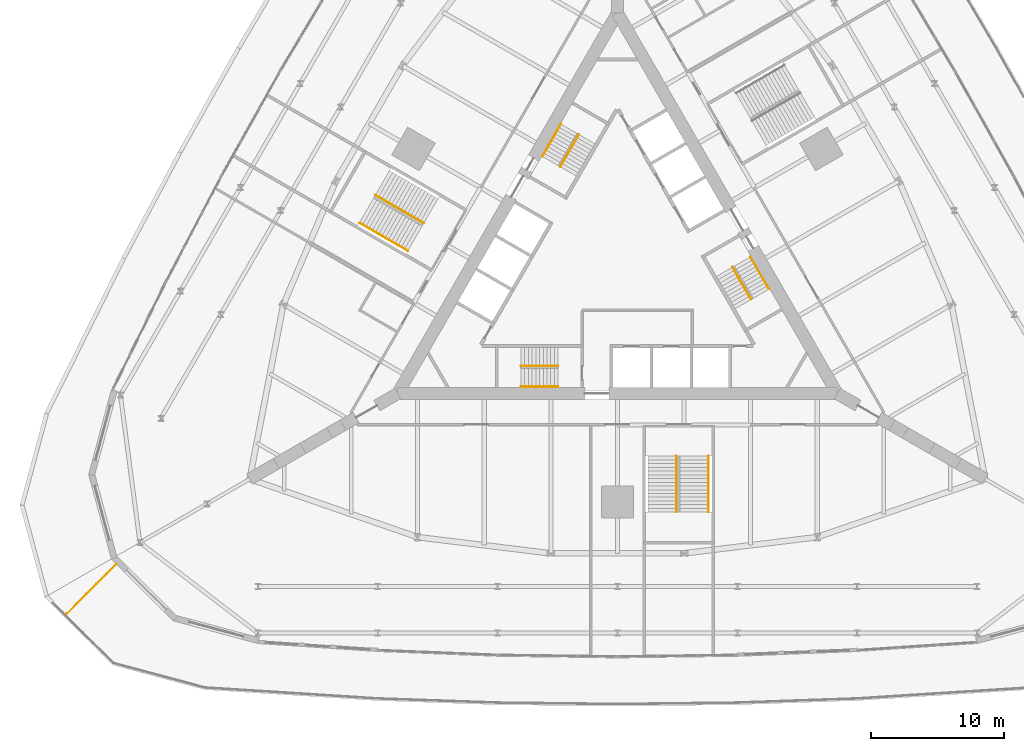
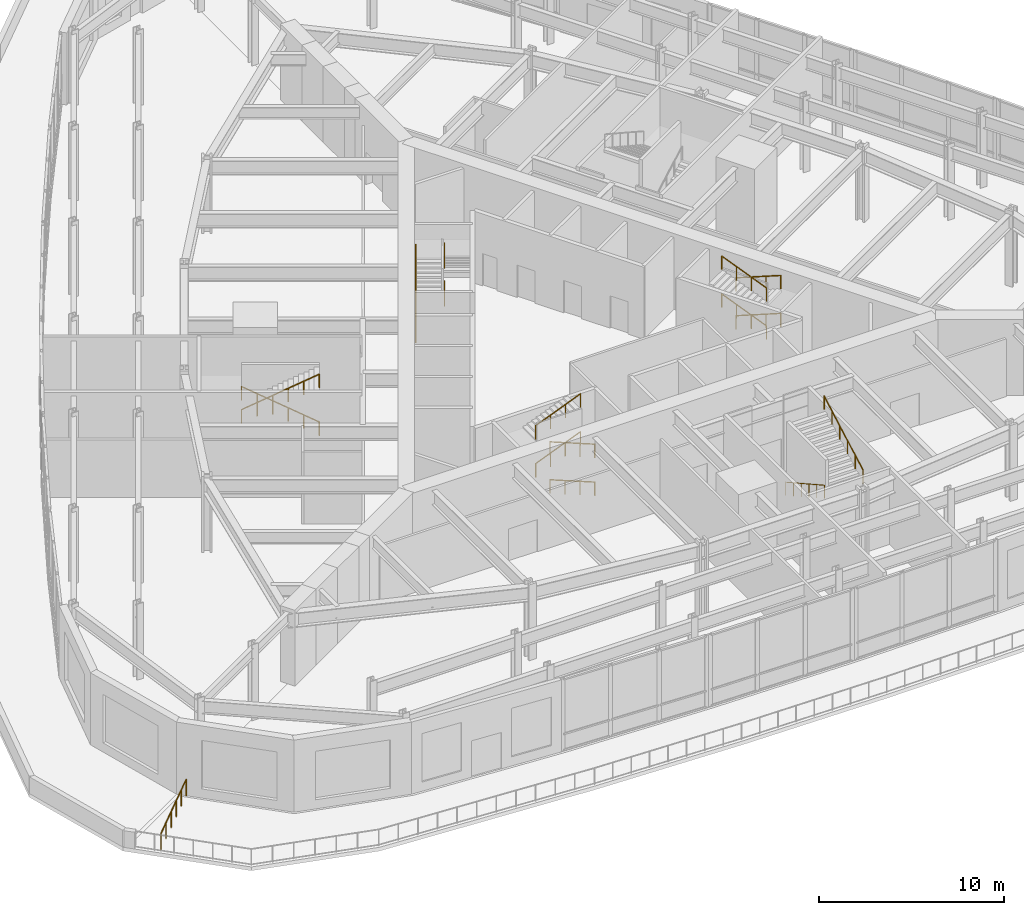
# One storey, part 18 of 20: 17 railings.
"""IFC4 building model written with IfcOpenShell, lengths in metres."""

from ifc_helpers import new_model, si_unit, direction, frame, origin, origin_2d, place, context, subcontext, project, spatial, circle, extrude, material, type_object, element, save


model = new_model("IFC4")

# Units and contexts
model_context = context("Model", 3, precision=1e-05, world=origin(), true_north=direction((0.0, 1.0)))
body_context = subcontext(model_context, "Body", "Model", "MODEL_VIEW")
ifc_project = project(units=[si_unit("LENGTHUNIT", "METRE"), si_unit("AREAUNIT", "SQUARE_METRE"), si_unit("VOLUMEUNIT", "CUBIC_METRE"), si_unit("PLANEANGLEUNIT", "RADIAN"), si_unit("MASSUNIT", "GRAM", prefix="KILO")], contexts=[model_context])

# Site, building, storey
site_placement = place(None, origin())
site = spatial("IfcSite", under=ifc_project, at=site_placement, CompositionType="ELEMENT")
building_placement = place(site_placement, origin())
building = spatial("IfcBuilding", under=site, at=building_placement, Name="Trikona Tower", CompositionType="ELEMENT")
storey_placement = place(building_placement, frame((0.0, 0.0, 6.0)))
storey = spatial("IfcBuildingStorey", under=building, at=storey_placement, Name="L01", CompositionType="ELEMENT", Elevation=6.0)

# Railings
ifc_material_1 = material(Name="Galvanised steel fence with welded mesh infill", Category="steel")
railing_type_1 = type_object("IfcRailingType", Name="Green roof fence 1100", PredefinedType="GUARDRAIL", material=ifc_material_1)
railing_1_placement = place(storey_placement, frame((-41.34521484375, -26.056640625, 0.0)))
element("IfcRailing", 1, at=railing_1_placement, inside=storey, type_object=railing_type_1, Name="Green roof fence L01-1a", PredefinedType="GUARDRAIL", context=body_context, shape_type="SweptSolid", body=[
    extrude(circle(Radius=0.02392578125, at=origin_2d()), frame((0.0, 0.0, 1.076171875), z_axis=(0.707106781187, 0.707106781187, 0.0), x_axis=(-0.707106781187, 0.707106781187, 0.0)), (0.0, 0.0, 1.0), 5.276611328125),
    extrude(circle(Radius=0.02099609375, at=origin_2d()), origin(), (0.0, 0.0, 1.0), 1.052001953125),
    extrude(circle(Radius=0.02099609375, at=origin_2d()), frame((0.746337890625, 0.746337890625, 0.0)), (0.0, 0.0, 1.0), 1.052001953125),
    extrude(circle(Radius=0.02099609375, at=origin_2d()), frame((1.492431640625, 1.492431640625, 0.0)), (0.0, 0.0, 1.0), 1.052001953125),
    extrude(circle(Radius=0.02099609375, at=origin_2d()), frame((2.23876953125, 2.23876953125, 0.0)), (0.0, 0.0, 1.0), 1.052001953125),
    extrude(circle(Radius=0.02099609375, at=origin_2d()), frame((2.98486328125, 2.98486328125, 0.0)), (0.0, 0.0, 1.0), 1.052001953125),
    extrude(circle(Radius=0.02099609375, at=origin_2d()), frame((3.731201171875, 3.731201171875, 0.0)), (0.0, 0.0, 1.0), 1.052001953125),
])
ifc_material_2 = material(Name="Stainless steel handrail", Category="steel")
railing_type_2 = type_object("IfcRailingType", Name="Stair handrail", PredefinedType="HANDRAIL", material=ifc_material_2)
railing_2_placement = place(storey_placement, frame((-4.449951171875, -9.016357421875, 0.113525390625)))
element("IfcRailing", 2, at=railing_2_placement, inside=storey, type_object=railing_type_2, Name="Stair handrail A L01 1", PredefinedType="HANDRAIL", context=body_context, shape_type="SweptSolid", body=[
    extrude(circle(Radius=0.02392578125, at=origin_2d()), frame((0.0, 0.0, 0.8759765625), z_axis=(-0.926587139796, 0.0, 0.37608014088), x_axis=(0.0, -1.0, 0.0)), (0.0, 0.0, 1.0), 3.02197265625),
    extrude(circle(Radius=0.02099609375, at=origin_2d()), origin(), (0.0, 0.0, 1.0), 0.851806640625),
    extrude(circle(Radius=0.02099609375, at=origin_2d()), frame((-0.933349609375, 0.0, 0.37890625)), (0.0, 0.0, 1.0), 0.851806640625),
    extrude(circle(Radius=0.02099609375, at=origin_2d()), frame((-1.86669921875, 0.0, 0.757568359375)), (0.0, 0.0, 1.0), 0.851806640625),
    extrude(circle(Radius=0.02099609375, at=origin_2d()), frame((-2.800048828125, 0.0, 1.136474609375)), (0.0, 0.0, 1.0), 0.851806640625),
])
railing_3_placement = place(storey_placement, frame((-7.25, -7.46630859375, 1.363525390625)))
element("IfcRailing", 3, at=railing_3_placement, inside=storey, type_object=railing_type_2, Name="Stair handrail A L01 2", PredefinedType="HANDRAIL", context=body_context, shape_type="SweptSolid", body=[
    extrude(circle(Radius=0.02392578125, at=origin_2d()), frame((0.0, 0.0, 0.8759765625), z_axis=(0.926587139796, 0.0, 0.37608014088), x_axis=(0.0, 1.0, 0.0)), (0.0, 0.0, 1.0), 3.02197265625),
    extrude(circle(Radius=0.02099609375, at=origin_2d()), origin(), (0.0, 0.0, 1.0), 0.851806640625),
    extrude(circle(Radius=0.02099609375, at=origin_2d()), frame((0.933349609375, 0.0, 0.37890625)), (0.0, 0.0, 1.0), 0.851806640625),
    extrude(circle(Radius=0.02099609375, at=origin_2d()), frame((1.86669921875, 0.0, 0.757568359375)), (0.0, 0.0, 1.0), 0.851806640625),
    extrude(circle(Radius=0.02099609375, at=origin_2d()), frame((2.800048828125, 0.0, 1.136474609375)), (0.0, 0.0, 1.0), 0.851806640625),
])
railing_4_placement = place(storey_placement, frame((-4.449951171875, -9.016357421875, 2.613525390625)))
element("IfcRailing", 4, at=railing_4_placement, inside=storey, type_object=railing_type_2, Name="Stair handrail A L01 3", PredefinedType="HANDRAIL", context=body_context, shape_type="SweptSolid", body=[
    extrude(circle(Radius=0.02392578125, at=origin_2d()), frame((0.0, 0.0, 0.8759765625), z_axis=(-0.926587139796, 0.0, 0.37608014088), x_axis=(0.0, -1.0, 0.0)), (0.0, 0.0, 1.0), 3.02197265625),
    extrude(circle(Radius=0.02099609375, at=origin_2d()), origin(), (0.0, 0.0, 1.0), 0.851806640625),
    extrude(circle(Radius=0.02099609375, at=origin_2d()), frame((-0.933349609375, 0.0, 0.37890625)), (0.0, 0.0, 1.0), 0.851806640625),
    extrude(circle(Radius=0.02099609375, at=origin_2d()), frame((-1.86669921875, 0.0, 0.757568359375)), (0.0, 0.0, 1.0), 0.851806640625),
    extrude(circle(Radius=0.02099609375, at=origin_2d()), frame((-2.800048828125, 0.0, 1.136474609375)), (0.0, 0.0, 1.0), 0.851806640625),
])
railing_5_placement = place(storey_placement, frame((-7.25, -7.46630859375, 3.863525390625)))
element("IfcRailing", 5, at=railing_5_placement, inside=storey, type_object=railing_type_2, Name="Stair handrail A L01 4", PredefinedType="HANDRAIL", context=body_context, shape_type="SweptSolid", body=[
    extrude(circle(Radius=0.02392578125, at=origin_2d()), frame((0.0, 0.0, 0.8759765625), z_axis=(0.926587139796, 0.0, 0.37608014088), x_axis=(0.0, 1.0, 0.0)), (0.0, 0.0, 1.0), 3.02197265625),
    extrude(circle(Radius=0.02099609375, at=origin_2d()), origin(), (0.0, 0.0, 1.0), 0.851806640625),
    extrude(circle(Radius=0.02099609375, at=origin_2d()), frame((0.933349609375, 0.0, 0.37890625)), (0.0, 0.0, 1.0), 0.851806640625),
    extrude(circle(Radius=0.02099609375, at=origin_2d()), frame((1.86669921875, 0.0, 0.757568359375)), (0.0, 0.0, 1.0), 0.851806640625),
    extrude(circle(Radius=0.02099609375, at=origin_2d()), frame((2.800048828125, 0.0, 1.136474609375)), (0.0, 0.0, 1.0), 0.851806640625),
])
railing_6_placement = place(storey_placement, frame((9.9833984375, 0.740966796875, 0.113525390625)))
element("IfcRailing", 6, at=railing_6_placement, inside=storey, type_object=railing_type_2, Name="Stair handrail B L01 1", PredefinedType="HANDRAIL", context=body_context, shape_type="SweptSolid", body=[
    extrude(circle(Radius=0.02392578125, at=origin_2d()), frame((0.0, 0.0, 0.8759765625), z_axis=(0.463245186179, -0.802478973547, 0.376073655679), x_axis=(0.866056369097, 0.49994636267, 0.0)), (0.0, 0.0, 1.0), 3.02197265625),
    extrude(circle(Radius=0.02099609375, at=origin_2d()), origin(), (0.0, 0.0, 1.0), 0.851806640625),
    extrude(circle(Radius=0.02099609375, at=origin_2d()), frame((0.466552734375, -0.808349609375, 0.37890625)), (0.0, 0.0, 1.0), 0.851806640625),
    extrude(circle(Radius=0.02099609375, at=origin_2d()), frame((0.933349609375, -1.61669921875, 0.757568359375)), (0.0, 0.0, 1.0), 0.851806640625),
    extrude(circle(Radius=0.02099609375, at=origin_2d()), frame((1.39990234375, -2.425048828125, 1.136474609375)), (0.0, 0.0, 1.0), 0.851806640625),
])
railing_7_placement = place(storey_placement, frame((10.041015625, -2.458984375, 1.363525390625)))
element("IfcRailing", 7, at=railing_7_placement, inside=storey, type_object=railing_type_2, Name="Stair handrail B L01 2", PredefinedType="HANDRAIL", context=body_context, shape_type="SweptSolid", body=[
    extrude(circle(Radius=0.02392578125, at=origin_2d()), frame((0.0, 0.0, 0.8759765625), z_axis=(-0.463245186179, 0.802478973547, 0.376073655679), x_axis=(-0.866056369097, -0.49994636267, 0.0)), (0.0, 0.0, 1.0), 3.02197265625),
    extrude(circle(Radius=0.02099609375, at=origin_2d()), origin(), (0.0, 0.0, 1.0), 0.851806640625),
    extrude(circle(Radius=0.02099609375, at=origin_2d()), frame((-0.466552734375, 0.808349609375, 0.37890625)), (0.0, 0.0, 1.0), 0.851806640625),
    extrude(circle(Radius=0.02099609375, at=origin_2d()), frame((-0.933349609375, 1.61669921875, 0.757568359375)), (0.0, 0.0, 1.0), 0.851806640625),
    extrude(circle(Radius=0.02099609375, at=origin_2d()), frame((-1.39990234375, 2.425048828125, 1.136474609375)), (0.0, 0.0, 1.0), 0.851806640625),
])
railing_8_placement = place(storey_placement, frame((9.9833984375, 0.740966796875, 2.613525390625)))
element("IfcRailing", 8, at=railing_8_placement, inside=storey, type_object=railing_type_2, Name="Stair handrail B L01 3", PredefinedType="HANDRAIL", context=body_context, shape_type="SweptSolid", body=[
    extrude(circle(Radius=0.02392578125, at=origin_2d()), frame((0.0, 0.0, 0.8759765625), z_axis=(0.463245186179, -0.802478973547, 0.376073655679), x_axis=(0.866056369097, 0.49994636267, 0.0)), (0.0, 0.0, 1.0), 3.02197265625),
    extrude(circle(Radius=0.02099609375, at=origin_2d()), origin(), (0.0, 0.0, 1.0), 0.851806640625),
    extrude(circle(Radius=0.02099609375, at=origin_2d()), frame((0.466552734375, -0.808349609375, 0.37890625)), (0.0, 0.0, 1.0), 0.851806640625),
    extrude(circle(Radius=0.02099609375, at=origin_2d()), frame((0.933349609375, -1.61669921875, 0.757568359375)), (0.0, 0.0, 1.0), 0.851806640625),
    extrude(circle(Radius=0.02099609375, at=origin_2d()), frame((1.39990234375, -2.425048828125, 1.136474609375)), (0.0, 0.0, 1.0), 0.851806640625),
])
railing_9_placement = place(storey_placement, frame((10.041015625, -2.458984375, 3.863525390625)))
element("IfcRailing", 9, at=railing_9_placement, inside=storey, type_object=railing_type_2, Name="Stair handrail B L01 4", PredefinedType="HANDRAIL", context=body_context, shape_type="SweptSolid", body=[
    extrude(circle(Radius=0.02392578125, at=origin_2d()), frame((0.0, 0.0, 0.8759765625), z_axis=(-0.463245186179, 0.802478973547, 0.376073655679), x_axis=(-0.866056369097, -0.49994636267, 0.0)), (0.0, 0.0, 1.0), 3.02197265625),
    extrude(circle(Radius=0.02099609375, at=origin_2d()), origin(), (0.0, 0.0, 1.0), 0.851806640625),
    extrude(circle(Radius=0.02099609375, at=origin_2d()), frame((-0.466552734375, 0.808349609375, 0.37890625)), (0.0, 0.0, 1.0), 0.851806640625),
    extrude(circle(Radius=0.02099609375, at=origin_2d()), frame((-0.933349609375, 1.61669921875, 0.757568359375)), (0.0, 0.0, 1.0), 0.851806640625),
    extrude(circle(Radius=0.02099609375, at=origin_2d()), frame((-1.39990234375, 2.425048828125, 1.136474609375)), (0.0, 0.0, 1.0), 0.851806640625),
])
railing_10_placement = place(storey_placement, frame((-5.63330078125, 8.275390625, 0.113525390625)))
element("IfcRailing", 10, at=railing_10_placement, inside=storey, type_object=railing_type_2, Name="Stair handrail C L01 1", PredefinedType="HANDRAIL", context=body_context, shape_type="SweptSolid", body=[
    extrude(circle(Radius=0.02392578125, at=origin_2d()), frame((0.0, 0.0, 0.8759765625), z_axis=(0.463275220525, 0.802450207579, 0.376098038288), x_axis=(-0.866034573852, 0.49998411664, 0.0)), (0.0, 0.0, 1.0), 3.021728515625),
    extrude(circle(Radius=0.02099609375, at=origin_2d()), origin(), (0.0, 0.0, 1.0), 0.851806640625),
    extrude(circle(Radius=0.02099609375, at=origin_2d()), frame((0.466552734375, 0.808349609375, 0.37890625)), (0.0, 0.0, 1.0), 0.851806640625),
    extrude(circle(Radius=0.02099609375, at=origin_2d()), frame((0.933349609375, 1.616455078125, 0.757568359375)), (0.0, 0.0, 1.0), 0.851806640625),
    extrude(circle(Radius=0.02099609375, at=origin_2d()), frame((1.39990234375, 2.4248046875, 1.136474609375)), (0.0, 0.0, 1.0), 0.851806640625),
])
railing_11_placement = place(storey_placement, frame((-2.89111328125, 9.92529296875, 1.363525390625)))
element("IfcRailing", 11, at=railing_11_placement, inside=storey, type_object=railing_type_2, Name="Stair handrail C L01 2", PredefinedType="HANDRAIL", context=body_context, shape_type="SweptSolid", body=[
    extrude(circle(Radius=0.02392578125, at=origin_2d()), frame((0.0, 0.0, 0.8759765625), z_axis=(-0.463245186179, -0.802478973547, 0.376073655679), x_axis=(0.866056369097, -0.49994636267, 0.0)), (0.0, 0.0, 1.0), 3.02197265625),
    extrude(circle(Radius=0.02099609375, at=origin_2d()), origin(), (0.0, 0.0, 1.0), 0.851806640625),
    extrude(circle(Radius=0.02099609375, at=origin_2d()), frame((-0.466552734375, -0.808349609375, 0.37890625)), (0.0, 0.0, 1.0), 0.851806640625),
    extrude(circle(Radius=0.02099609375, at=origin_2d()), frame((-0.933349609375, -1.61669921875, 0.757568359375)), (0.0, 0.0, 1.0), 0.851806640625),
    extrude(circle(Radius=0.02099609375, at=origin_2d()), frame((-1.39990234375, -2.425048828125, 1.136474609375)), (0.0, 0.0, 1.0), 0.851806640625),
])
railing_12_placement = place(storey_placement, frame((-5.63330078125, 8.275390625, 2.613525390625)))
element("IfcRailing", 12, at=railing_12_placement, inside=storey, type_object=railing_type_2, Name="Stair handrail C L01 3", PredefinedType="HANDRAIL", context=body_context, shape_type="SweptSolid", body=[
    extrude(circle(Radius=0.02392578125, at=origin_2d()), frame((0.0, 0.0, 0.8759765625), z_axis=(0.463275220525, 0.802450207579, 0.376098038288), x_axis=(-0.866034573852, 0.49998411664, 0.0)), (0.0, 0.0, 1.0), 3.021728515625),
    extrude(circle(Radius=0.02099609375, at=origin_2d()), origin(), (0.0, 0.0, 1.0), 0.851806640625),
    extrude(circle(Radius=0.02099609375, at=origin_2d()), frame((0.466552734375, 0.808349609375, 0.37890625)), (0.0, 0.0, 1.0), 0.851806640625),
    extrude(circle(Radius=0.02099609375, at=origin_2d()), frame((0.933349609375, 1.616455078125, 0.757568359375)), (0.0, 0.0, 1.0), 0.851806640625),
    extrude(circle(Radius=0.02099609375, at=origin_2d()), frame((1.39990234375, 2.4248046875, 1.136474609375)), (0.0, 0.0, 1.0), 0.851806640625),
])
railing_13_placement = place(storey_placement, frame((-2.89111328125, 9.92529296875, 3.863525390625)))
element("IfcRailing", 13, at=railing_13_placement, inside=storey, type_object=railing_type_2, Name="Stair handrail C L01 4", PredefinedType="HANDRAIL", context=body_context, shape_type="SweptSolid", body=[
    extrude(circle(Radius=0.02392578125, at=origin_2d()), frame((0.0, 0.0, 0.8759765625), z_axis=(-0.463245186179, -0.802478973547, 0.376073655679), x_axis=(0.866056369097, -0.49994636267, 0.0)), (0.0, 0.0, 1.0), 3.02197265625),
    extrude(circle(Radius=0.02099609375, at=origin_2d()), origin(), (0.0, 0.0, 1.0), 0.851806640625),
    extrude(circle(Radius=0.02099609375, at=origin_2d()), frame((-0.466552734375, -0.808349609375, 0.37890625)), (0.0, 0.0, 1.0), 0.851806640625),
    extrude(circle(Radius=0.02099609375, at=origin_2d()), frame((-0.933349609375, -1.61669921875, 0.757568359375)), (0.0, 0.0, 1.0), 0.851806640625),
    extrude(circle(Radius=0.02099609375, at=origin_2d()), frame((-1.39990234375, -2.425048828125, 1.136474609375)), (0.0, 0.0, 1.0), 0.851806640625),
])
railing_14_placement = place(storey_placement, frame((4.43994140625, -14.226318359375, 0.15625)))
element("IfcRailing", 14, at=railing_14_placement, inside=storey, type_object=railing_type_2, Name="Stair handrail PS1 L01 1", PredefinedType="HANDRAIL", context=body_context, shape_type="SweptSolid", body=[
    extrude(circle(Radius=0.02392578125, at=origin_2d()), frame((0.0, 0.0, 0.8759765625), z_axis=(0.0, -0.873233870432, 0.487301351866), x_axis=(1.0, 0.0, 0.0)), (0.0, 0.0, 1.0), 4.8095703125),
    extrude(circle(Radius=0.02099609375, at=origin_2d()), origin(), (0.0, 0.0, 1.0), 0.851806640625),
    extrude(circle(Radius=0.02099609375, at=origin_2d()), frame((0.0, -0.840087890625, 0.46875)), (0.0, 0.0, 1.0), 0.851806640625),
    extrude(circle(Radius=0.02099609375, at=origin_2d()), frame((0.0, -1.679931640625, 0.9375)), (0.0, 0.0, 1.0), 0.851806640625),
    extrude(circle(Radius=0.02099609375, at=origin_2d()), frame((0.0, -2.52001953125, 1.40625)), (0.0, 0.0, 1.0), 0.851806640625),
    extrude(circle(Radius=0.02099609375, at=origin_2d()), frame((0.0, -3.35986328125, 1.875)), (0.0, 0.0, 1.0), 0.851806640625),
    extrude(circle(Radius=0.02099609375, at=origin_2d()), frame((0.0, -4.199951171875, 2.34375)), (0.0, 0.0, 1.0), 0.851806640625),
])
railing_15_placement = place(storey_placement, frame((6.840087890625, -18.42626953125, 2.65625)))
element("IfcRailing", 15, at=railing_15_placement, inside=storey, type_object=railing_type_2, Name="Stair handrail PS1 L01 2", PredefinedType="HANDRAIL", context=body_context, shape_type="SweptSolid", body=[
    extrude(circle(Radius=0.02392578125, at=origin_2d()), frame((0.0, 0.0, 0.8759765625), z_axis=(0.0, 0.873233870432, 0.487301351866), x_axis=(-1.0, 0.0, 0.0)), (0.0, 0.0, 1.0), 4.8095703125),
    extrude(circle(Radius=0.02099609375, at=origin_2d()), origin(), (0.0, 0.0, 1.0), 0.851806640625),
    extrude(circle(Radius=0.02099609375, at=origin_2d()), frame((0.0, 0.840087890625, 0.46875)), (0.0, 0.0, 1.0), 0.851806640625),
    extrude(circle(Radius=0.02099609375, at=origin_2d()), frame((0.0, 1.679931640625, 0.9375)), (0.0, 0.0, 1.0), 0.851806640625),
    extrude(circle(Radius=0.02099609375, at=origin_2d()), frame((0.0, 2.52001953125, 1.40625)), (0.0, 0.0, 1.0), 0.851806640625),
    extrude(circle(Radius=0.02099609375, at=origin_2d()), frame((0.0, 3.35986328125, 1.875)), (0.0, 0.0, 1.0), 0.851806640625),
    extrude(circle(Radius=0.02099609375, at=origin_2d()), frame((0.0, 4.199951171875, 2.34375)), (0.0, 0.0, 1.0), 0.851806640625),
])
railing_16_placement = place(storey_placement, frame((-14.540283203125, 3.26806640625, 0.15625)))
element("IfcRailing", 16, at=railing_16_placement, inside=storey, type_object=railing_type_2, Name="Stair handrail PS3 L01 1", PredefinedType="HANDRAIL", context=body_context, shape_type="SweptSolid", body=[
    extrude(circle(Radius=0.02392578125, at=origin_2d()), frame((0.0, 0.0, 0.8759765625), z_axis=(-0.756245988317, 0.436600331958, 0.487311148332), x_axis=(-0.49998411664, -0.866034573852, 0.0)), (0.0, 0.0, 1.0), 4.8095703125),
    extrude(circle(Radius=0.02099609375, at=origin_2d()), origin(), (0.0, 0.0, 1.0), 0.851806640625),
    extrude(circle(Radius=0.02099609375, at=origin_2d()), frame((-0.7275390625, 0.419921875, 0.46875)), (0.0, 0.0, 1.0), 0.851806640625),
    extrude(circle(Radius=0.02099609375, at=origin_2d()), frame((-1.454833984375, 0.83984375, 0.9375)), (0.0, 0.0, 1.0), 0.851806640625),
    extrude(circle(Radius=0.02099609375, at=origin_2d()), frame((-2.182373046875, 1.260009765625, 1.40625)), (0.0, 0.0, 1.0), 0.851806640625),
    extrude(circle(Radius=0.02099609375, at=origin_2d()), frame((-2.90966796875, 1.679931640625, 1.875)), (0.0, 0.0, 1.0), 0.851806640625),
    extrude(circle(Radius=0.02099609375, at=origin_2d()), frame((-3.63720703125, 2.099853515625, 2.34375)), (0.0, 0.0, 1.0), 0.851806640625),
])
railing_17_placement = place(storey_placement, frame((-19.377685546875, 3.28955078125, 2.65625)))
element("IfcRailing", 17, at=railing_17_placement, inside=storey, type_object=railing_type_2, Name="Stair handrail PS3 L01 2", PredefinedType="HANDRAIL", context=body_context, shape_type="SweptSolid", body=[
    extrude(circle(Radius=0.02392578125, at=origin_2d()), frame((0.0, 0.0, 0.8759765625), z_axis=(0.756250957761, -0.436624655256, 0.487281642695), x_axis=(0.500002543286, 0.866023935413, 0.0)), (0.0, 0.0, 1.0), 4.809814453125),
    extrude(circle(Radius=0.02099609375, at=origin_2d()), origin(), (0.0, 0.0, 1.0), 0.851806640625),
    extrude(circle(Radius=0.02099609375, at=origin_2d()), frame((0.7275390625, -0.419921875, 0.46875)), (0.0, 0.0, 1.0), 0.851806640625),
    extrude(circle(Radius=0.02099609375, at=origin_2d()), frame((1.455078125, -0.840087890625, 0.9375)), (0.0, 0.0, 1.0), 0.851806640625),
    extrude(circle(Radius=0.02099609375, at=origin_2d()), frame((2.182373046875, -1.260009765625, 1.40625)), (0.0, 0.0, 1.0), 0.851806640625),
    extrude(circle(Radius=0.02099609375, at=origin_2d()), frame((2.909912109375, -1.68017578125, 1.875)), (0.0, 0.0, 1.0), 0.851806640625),
    extrude(circle(Radius=0.02099609375, at=origin_2d()), frame((3.637451171875, -2.10009765625, 2.34375)), (0.0, 0.0, 1.0), 0.851806640625),
])

save(model, "model.ifc")
